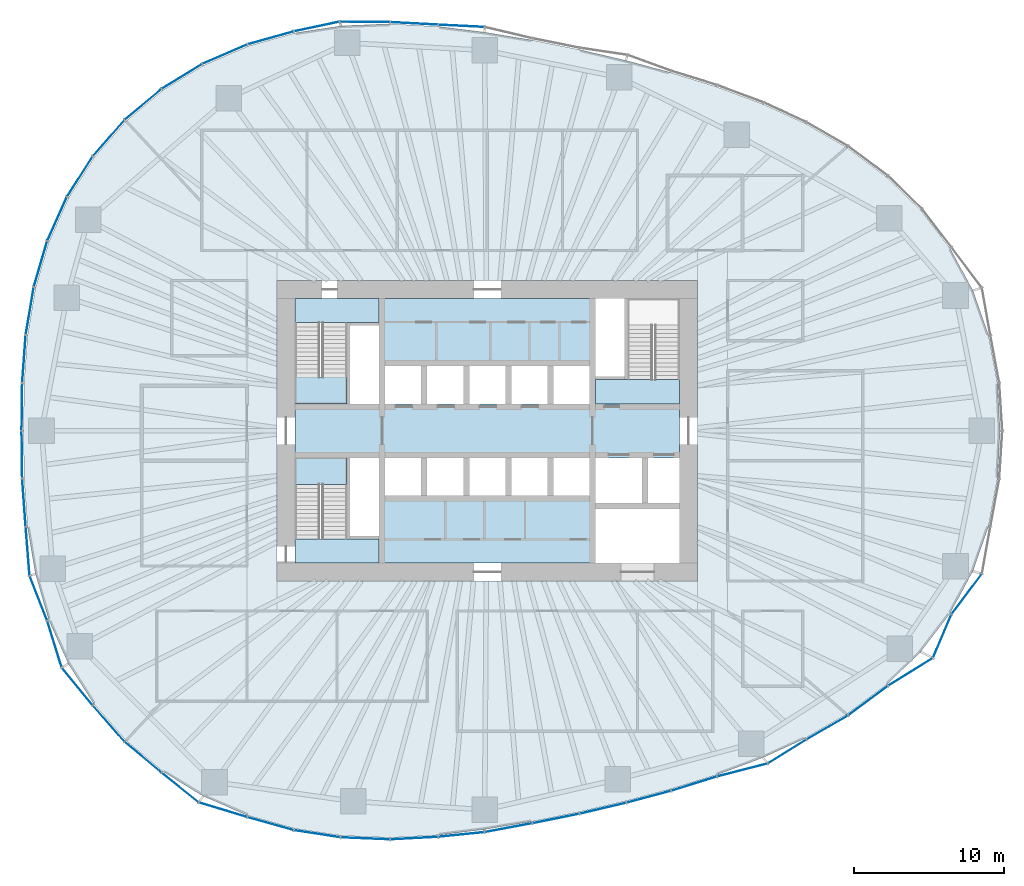
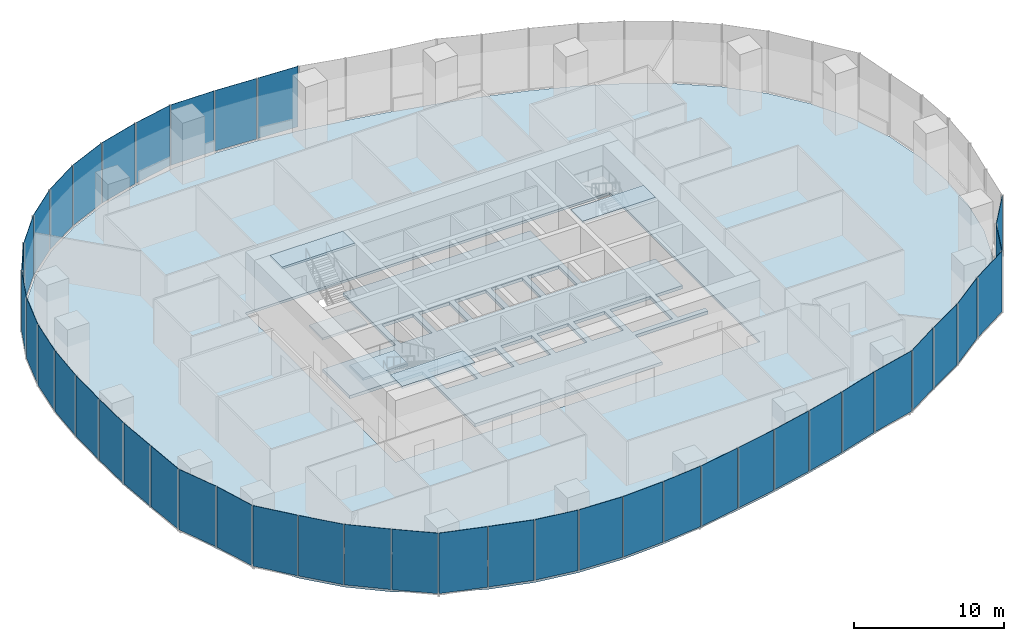
# One storey, part 8 of 20: 42 plates, 7 slabs, 17 elements without a shape of their own.
"""IFC4 building model written with IfcOpenShell, lengths in metres."""

import ifcopenshell
import ifcopenshell.guid

model = None  # the IFC model being written
_history = None  # IfcOwnerHistory: only IFC2X3 demands one
_inside = {}  # id of a spatial element -> (the spatial element, [elements in it])
_under = {}  # id of a project, library or spatial element -> (it, [spatial elements below it])
_declared = {}  # id of a project -> (the project, [libraries it declares])
_typed = {}  # id of a type object -> (the type object, [elements of that type])
_made_of = {}  # id of a material, layer set ... -> (it, [elements and type objects made of it])


def new_model(schema):
    """Start an empty IFC model of exactly this schema.

    Asked for "IFC4X3", IfcOpenShell would pick the latest addendum, in which some entities
    have other attributes; the version numbers below select the first issue.
    IFC2X3 requires an IfcOwnerHistory on every rooted entity: one is made here for all.
    """
    global model, _history
    if schema == "IFC4X3":
        model = ifcopenshell.file(schema_version=(4, 3, 0, 0))
    else:
        model = ifcopenshell.file(schema=schema)
    _inside.clear()
    _under.clear()
    _declared.clear()
    _typed.clear()
    _made_of.clear()
    _history = None
    if model.schema == "IFC2X3":
        org = make("IfcOrganization", Name="unknown")
        user = make(
            "IfcPersonAndOrganization",
            ThePerson=make("IfcPerson", FamilyName="unknown"),
            TheOrganization=org,
        )
        app = make(
            "IfcApplication",
            ApplicationDeveloper=org,
            Version="unknown",
            ApplicationFullName="unknown",
            ApplicationIdentifier="unknown",
        )
        _history = make(
            "IfcOwnerHistory",
            OwningUser=user,
            OwningApplication=app,
            ChangeAction="ADDED",
            CreationDate=0,
        )
    return model


def make(cls, **values):
    """One entity of the class cls with the attributes given. An attribute that is None is left unset."""
    return model.create_entity(
        cls, **{name: value for name, value in values.items() if value is not None}
    )


def rooted(cls, **values):
    """An entity with a GlobalId (a new one), such as an element, a storey or a relation."""
    return make(cls, GlobalId=ifcopenshell.guid.new(), OwnerHistory=_history, **values)


def si_unit(unit_type, name, prefix=None):
    """IfcSIUnit, for example si_unit("LENGTHUNIT", "METRE", prefix="MILLI")."""
    return make("IfcSIUnit", UnitType=unit_type, Prefix=prefix, Name=name)


def assignment(units):
    """IfcUnitAssignment: the units of a project."""
    return None if units is None else make("IfcUnitAssignment", Units=units)


def point(xyz):
    """IfcCartesianPoint."""
    return None if xyz is None else make("IfcCartesianPoint", Coordinates=xyz)


def direction(xyz):
    """IfcDirection."""
    return None if xyz is None else make("IfcDirection", DirectionRatios=xyz)


def frame(location, z_axis=None, x_axis=None):
    """IfcAxis2Placement3D, a coordinate frame: its origin and axes. An axis left out is left unset."""
    return make(
        "IfcAxis2Placement3D",
        Location=point(location),
        Axis=direction(z_axis),
        RefDirection=direction(x_axis),
    )


def frame_2d(location, x_axis=None):
    """IfcAxis2Placement2D, a coordinate frame in the plane: its origin and x axis."""
    return make(
        "IfcAxis2Placement2D", Location=point(location), RefDirection=direction(x_axis)
    )


def origin():
    """The frame at (0, 0, 0) with its axes left unset."""
    return frame((0.0, 0.0, 0.0))


def origin_2d():
    """The frame at (0, 0) in the plane with its x axis left unset."""
    return frame_2d((0.0, 0.0))


def place(relative_to, where):
    """IfcLocalPlacement: puts the frame where relative to a parent placement (None: the world)."""
    return make(
        "IfcLocalPlacement", PlacementRelTo=relative_to, RelativePlacement=where
    )


def context(
    kind, dimensions, precision=None, world=None, true_north=None, identifier=None
):
    """IfcGeometricRepresentationContext, for example the 3D "Model" context."""
    return make(
        "IfcGeometricRepresentationContext",
        ContextIdentifier=identifier,
        ContextType=kind,
        CoordinateSpaceDimension=dimensions,
        Precision=precision,
        WorldCoordinateSystem=world,
        TrueNorth=true_north,
    )


def subcontext(parent, identifier, kind, view, scale=None):
    """IfcGeometricRepresentationSubContext, for example "Body" below "Model"."""
    return make(
        "IfcGeometricRepresentationSubContext",
        ContextIdentifier=identifier,
        ContextType=kind,
        ParentContext=parent,
        TargetScale=scale,
        TargetView=view,
    )


def project(units=None, contexts=None):
    """IfcProject with its units and contexts."""
    return rooted(
        "IfcProject",
        Name="project",
        RepresentationContexts=contexts,
        UnitsInContext=assignment(units),
    )


def spatial(cls, under=None, at=None, **own):
    """A site, building, storey or space (cls), placed at a placement, below another one or the project."""
    s = rooted(cls, ObjectPlacement=at, **own)
    if under is not None:
        _under.setdefault(under.id(), (under, []))[1].append(s)
    return s


def polyline(points):
    """IfcPolyline through the points."""
    return make("IfcPolyline", Points=[point(p) for p in points])


def profile(cls, at=None, kind="AREA", **sizes):
    """A parametric profile (cls). Its sizes go by their IFC names, for example OverallWidth=200.0."""
    return make(cls, ProfileType=kind, Position=at, **sizes)


def rectangle(**sizes):
    """IfcRectangleProfileDef."""
    return profile("IfcRectangleProfileDef", **sizes)


def outline(outer, holes=None, kind="AREA"):
    """IfcArbitraryClosedProfileDef: a profile drawn as a closed curve; with holes, ...WithVoids."""
    if holes is None:
        return make("IfcArbitraryClosedProfileDef", ProfileType=kind, OuterCurve=outer)
    return make(
        "IfcArbitraryProfileDefWithVoids",
        ProfileType=kind,
        OuterCurve=outer,
        InnerCurves=holes,
    )


def extrude(swept, where, along, depth):
    """IfcExtrudedAreaSolid: the profile swept, set in the frame where, extruded along a direction by depth."""
    return make(
        "IfcExtrudedAreaSolid",
        SweptArea=swept,
        Position=where,
        ExtrudedDirection=direction(along),
        Depth=depth,
    )


def shape(context_of_items, identifier, shape_type, items):
    """IfcShapeRepresentation: the items that make up one representation, for example the "Body"."""
    return make(
        "IfcShapeRepresentation",
        ContextOfItems=context_of_items,
        RepresentationIdentifier=identifier,
        RepresentationType=shape_type,
        Items=items,
    )


def material(Name=None, Category=None):
    """IfcMaterial."""
    return make("IfcMaterial", Name=Name, Category=Category)


def layer(
    of_material, thickness, ventilated=None, Name=None, Category=None, Priority=None
):
    """IfcMaterialLayer: one layer of a wall or slab, of a material (None: an air gap)."""
    return make(
        "IfcMaterialLayer",
        Material=of_material,
        LayerThickness=thickness,
        IsVentilated=ventilated,
        Name=Name,
        Category=Category,
        Priority=Priority,
    )


def layer_set(layers, Name=None):
    """IfcMaterialLayerSet."""
    return make("IfcMaterialLayerSet", MaterialLayers=layers, LayerSetName=Name)


def made_of(thing, what):
    """Note that an element or type object is made of a material, layer set ...; save() writes the relation."""
    if what is not None:
        _made_of.setdefault(what.id(), (what, []))[1].append(thing)
    return thing


def type_object(cls, material=None, **own):
    """A type object (cls), such as IfcWallType, which elements share."""
    return made_of(rooted(cls, **own), material)


def element(
    cls,
    number,
    at=None,
    inside=None,
    cuts=None,
    type_object=None,
    material=None,
    context=None,
    identifier="Body",
    shape_type=None,
    held_by="IfcProductDefinitionShape",
    body=None,
    shapes=None,
    **own,
):
    """One element of the class cls, such as IfcWall. Its Tag is "e" and its number.

    at: its placement. inside: the storey or other place that contains it. cuts: it is an
    opening in that element (IfcRelVoidsElement). A single representation is given by context,
    identifier, shape_type and body (its items); several are given by shapes. held_by: the class
    of the entity that holds the representations. save() writes the other relations.
    """
    e = rooted(cls, Tag="e%d" % number, ObjectPlacement=at, **own)
    if body is not None:
        shapes = [shape(context, identifier, shape_type, body)]
    if shapes is not None:
        e.Representation = make(held_by, Representations=shapes)
    if inside is not None:
        _inside.setdefault(inside.id(), (inside, []))[1].append(e)
    if cuts is not None:
        rooted(
            "IfcRelVoidsElement", RelatingBuildingElement=cuts, RelatedOpeningElement=e
        )
    if type_object is not None:
        _typed.setdefault(type_object.id(), (type_object, []))[1].append(e)
    return made_of(e, material)


def aggregate(whole, parts):
    """IfcRelAggregates: a whole, such as a stair, and the parts it consists of."""
    return rooted("IfcRelAggregates", RelatingObject=whole, RelatedObjects=parts)


def save(model, path):
    """Write the relations noted so far, then the file.

    IfcRelAggregates (storeys below a building ...), IfcRelContainedInSpatialStructure (elements
    in a storey), IfcRelDefinesByType, IfcRelAssociatesMaterial and IfcRelDeclares: one each for
    every whole, place, type object, material and project.
    """
    for whole, parts in _under.values():
        aggregate(whole, parts)
    for where, things in _inside.values():
        rooted(
            "IfcRelContainedInSpatialStructure",
            RelatedElements=things,
            RelatingStructure=where,
        )
    for kind, things in _typed.values():
        rooted("IfcRelDefinesByType", RelatedObjects=things, RelatingType=kind)
    for what, things in _made_of.values():
        rooted("IfcRelAssociatesMaterial", RelatedObjects=things, RelatingMaterial=what)
    for by, libraries in _declared.values():
        rooted("IfcRelDeclares", RelatingContext=by, RelatedDefinitions=libraries)
    model.write(path)


model = new_model("IFC4")

# Units and contexts
model_context = context("Model", 3, precision=1e-05, world=origin(), true_north=direction((0.0, 1.0)))
body_context = subcontext(model_context, "Body", "Model", "MODEL_VIEW")
ifc_project = project(units=[si_unit("LENGTHUNIT", "METRE"), si_unit("AREAUNIT", "SQUARE_METRE"), si_unit("VOLUMEUNIT", "CUBIC_METRE"), si_unit("PLANEANGLEUNIT", "RADIAN"), si_unit("MASSUNIT", "GRAM", prefix="KILO")], contexts=[model_context])

# Site, building, storey
site_placement = place(None, origin())
site = spatial("IfcSite", under=ifc_project, at=site_placement, CompositionType="ELEMENT")
building_placement = place(site_placement, origin())
building = spatial("IfcBuilding", under=site, at=building_placement, Name="Ghaith Harvest Tower", CompositionType="ELEMENT")
storey_placement = place(building_placement, frame((0.0, 0.0, 90.0)))
storey = spatial("IfcBuildingStorey", under=building, at=storey_placement, Name="L18", CompositionType="ELEMENT", Elevation=90.0)

# Curtain wall, plates
ifc_material_1 = material(Name="Black anodised aluminium and fritted glass", Category="aluminium")
curtain_wall_type = type_object("IfcCurtainWallType", Name="CW-F CURTAIN WALL", PredefinedType="NOTDEFINED", material=ifc_material_1)
curtain_wall_1_placement = place(storey_placement, origin())
curtain_wall_1 = element("IfcCurtainWall", 1, at=curtain_wall_1_placement, inside=storey, type_object=curtain_wall_type, Name="Curtain wall CW-F bay 06 L18", PredefinedType="NOTDEFINED")
ifc_material_2 = material(Name="Glass, high-transmission fritted double glazed unit", Category="glass")
ifc_layer_1 = layer(ifc_material_2, 0.028076171875)
ifc_layer_set_1 = layer_set([ifc_layer_1], Name="CW-F VISION PANEL")
plate_type = type_object("IfcPlateType", Name="CW-F VISION PANEL", PredefinedType="CURTAIN_PANEL", material=ifc_layer_set_1)
plate_1_placement = place(storey_placement, frame((-1.722900390625, 26.953369140625, 0.080078125), z_axis=(0.0, 0.0, 1.0), x_axis=(-0.998771443485, 0.049554048048, 0.0)))
plate_1 = element("IfcPlate", 2, at=plate_1_placement, type_object=plate_type, Name="CW-F panel 1 bay 06 L18", PredefinedType="CURTAIN_PANEL", context=body_context, shape_type="SweptSolid", body=[
    extrude(rectangle(XDim=3.001708984375, YDim=0.028076171875, at=origin_2d()), origin(), (0.0, 0.0, 1.0), 4.919921875),
])
plate_2_placement = place(storey_placement, frame((-4.863525390625, 27.11572265625, 0.080078125), z_axis=(0.0, 0.0, 1.0), x_axis=(-0.99856250263, 0.053599704667, 0.0)))
plate_2 = element("IfcPlate", 3, at=plate_2_placement, type_object=plate_type, Name="CW-F panel 2 bay 06 L18", PredefinedType="CURTAIN_PANEL", context=body_context, shape_type="SweptSolid", body=[
    extrude(rectangle(XDim=3.1279296875, YDim=0.028076171875, at=origin_2d()), origin(), (0.0, 0.0, 1.0), 4.919921875),
])
plate_3_placement = place(storey_placement, frame((-8.150390625, 27.217041015625, 0.080078125), z_axis=(0.0, 0.0, 1.0), x_axis=(-0.999959609481, 0.008987736446, 0.0)))
plate_3 = element("IfcPlate", 4, at=plate_3_placement, type_object=plate_type, Name="CW-F panel 3 bay 06 L18", PredefinedType="CURTAIN_PANEL", context=body_context, shape_type="SweptSolid", body=[
    extrude(rectangle(XDim=3.29052734375, YDim=0.028076171875, at=origin_2d()), origin(), (0.0, 0.0, 1.0), 4.919921875),
])
aggregate(curtain_wall_1, [plate_1, plate_2, plate_3])

curtain_wall_2_placement = place(storey_placement, origin())
curtain_wall_2 = element("IfcCurtainWall", 5, at=curtain_wall_2_placement, inside=storey, type_object=curtain_wall_type, Name="Curtain wall CW-F bay 07 L18", PredefinedType="NOTDEFINED")
plate_4_placement = place(storey_placement, frame((-11.358154296875, 26.908447265625, 0.080078125), z_axis=(0.0, 0.0, 1.0), x_axis=(-0.978149320779, -0.207903598476, 0.0)))
plate_4 = element("IfcPlate", 6, at=plate_4_placement, type_object=plate_type, Name="CW-F panel 1 bay 07 L18", PredefinedType="CURTAIN_PANEL", context=body_context, shape_type="SweptSolid", body=[
    extrude(rectangle(XDim=3.032958984375, YDim=0.028076171875, at=origin_2d()), origin(), (0.0, 0.0, 1.0), 4.919921875),
])
plate_5_placement = place(storey_placement, frame((-14.42578125, 26.150634765625, 0.080078125), z_axis=(0.0, 0.0, 1.0), x_axis=(-0.96272968243, -0.270465448012, 0.0)))
plate_5 = element("IfcPlate", 7, at=plate_5_placement, type_object=plate_type, Name="CW-F panel 2 bay 07 L18", PredefinedType="CURTAIN_PANEL", context=body_context, shape_type="SweptSolid", body=[
    extrude(rectangle(XDim=3.13037109375, YDim=0.028076171875, at=origin_2d()), origin(), (0.0, 0.0, 1.0), 4.919921875),
])
plate_6_placement = place(storey_placement, frame((-17.46923828125, 25.0693359375, 0.080078125), z_axis=(0.0, 0.0, 1.0), x_axis=(-0.918002845228, -0.396573796605, 0.0)))
plate_6 = element("IfcPlate", 8, at=plate_6_placement, type_object=plate_type, Name="CW-F panel 3 bay 07 L18", PredefinedType="CURTAIN_PANEL", context=body_context, shape_type="SweptSolid", body=[
    extrude(rectangle(XDim=3.18359375, YDim=0.028076171875, at=origin_2d()), origin(), (0.0, 0.0, 1.0), 4.919921875),
])
aggregate(curtain_wall_2, [plate_4, plate_5, plate_6])

curtain_wall_3_placement = place(storey_placement, origin())
curtain_wall_3 = element("IfcCurtainWall", 9, at=curtain_wall_3_placement, inside=storey, type_object=curtain_wall_type, Name="Curtain wall CW-F bay 08 L18", PredefinedType="NOTDEFINED")
plate_7_placement = place(storey_placement, frame((-20.324462890625, 23.590087890625, 0.080078125), z_axis=(0.0, 0.0, 1.0), x_axis=(-0.852527741552, -0.522681977769, 0.0)))
plate_7 = element("IfcPlate", 10, at=plate_7_placement, type_object=plate_type, Name="CW-F panel 1 bay 08 L18", PredefinedType="CURTAIN_PANEL", context=body_context, shape_type="SweptSolid", body=[
    extrude(rectangle(XDim=3.10400390625, YDim=0.028076171875, at=origin_2d()), origin(), (0.0, 0.0, 1.0), 4.919921875),
])
plate_8_placement = place(storey_placement, frame((-22.91064453125, 21.727294921875, 0.080078125), z_axis=(0.0, 0.0, 1.0), x_axis=(-0.766155215147, -0.642655573619, 0.0)))
plate_8 = element("IfcPlate", 11, at=plate_8_placement, type_object=plate_type, Name="CW-F panel 2 bay 08 L18", PredefinedType="CURTAIN_PANEL", context=body_context, shape_type="SweptSolid", body=[
    extrude(rectangle(XDim=3.1279296875, YDim=0.028076171875, at=origin_2d()), origin(), (0.0, 0.0, 1.0), 4.919921875),
])
plate_9_placement = place(storey_placement, frame((-25.201171875, 19.4853515625, 0.080078125), z_axis=(0.0, 0.0, 1.0), x_axis=(-0.659215937547, -0.751953687194, 0.0)))
plate_9 = element("IfcPlate", 12, at=plate_9_placement, type_object=plate_type, Name="CW-F panel 3 bay 08 L18", PredefinedType="CURTAIN_PANEL", context=body_context, shape_type="SweptSolid", body=[
    extrude(rectangle(XDim=3.1416015625, YDim=0.028076171875, at=origin_2d()), origin(), (0.0, 0.0, 1.0), 4.919921875),
])
aggregate(curtain_wall_3, [plate_7, plate_8, plate_9])

curtain_wall_4_placement = place(storey_placement, origin())
curtain_wall_4 = element("IfcCurtainWall", 13, at=curtain_wall_4_placement, inside=storey, type_object=curtain_wall_type, Name="Curtain wall CW-F bay 09 L18", PredefinedType="NOTDEFINED")
plate_10_placement = place(storey_placement, frame((-27.124755859375, 16.919677734375, 0.080078125), z_axis=(0.0, 0.0, 1.0), x_axis=(-0.536779195227, -0.843722759899, 0.0)))
plate_10 = element("IfcPlate", 14, at=plate_10_placement, type_object=plate_type, Name="CW-F panel 1 bay 09 L18", PredefinedType="CURTAIN_PANEL", context=body_context, shape_type="SweptSolid", body=[
    extrude(rectangle(XDim=3.13037109375, YDim=0.028076171875, at=origin_2d()), origin(), (0.0, 0.0, 1.0), 4.919921875),
])
plate_11_placement = place(storey_placement, frame((-28.639404296875, 14.100341796875, 0.080078125), z_axis=(0.0, 0.0, 1.0), x_axis=(-0.407134417018, -0.913368253488, 0.0)))
plate_11 = element("IfcPlate", 15, at=plate_11_placement, type_object=plate_type, Name="CW-F panel 2 bay 09 L18", PredefinedType="CURTAIN_PANEL", context=body_context, shape_type="SweptSolid", body=[
    extrude(rectangle(XDim=3.1279296875, YDim=0.028076171875, at=origin_2d()), origin(), (0.0, 0.0, 1.0), 4.919921875),
])
plate_12_placement = place(storey_placement, frame((-29.740478515625, 11.101318359375, 0.080078125), z_axis=(0.0, 0.0, 1.0), x_axis=(-0.280296918708, -0.959913348882, 0.0)))
plate_12 = element("IfcPlate", 16, at=plate_12_placement, type_object=plate_type, Name="CW-F panel 3 bay 09 L18", PredefinedType="CURTAIN_PANEL", context=body_context, shape_type="SweptSolid", body=[
    extrude(rectangle(XDim=3.1162109375, YDim=0.028076171875, at=origin_2d()), origin(), (0.0, 0.0, 1.0), 4.919921875),
])
aggregate(curtain_wall_4, [plate_10, plate_11, plate_12])

curtain_wall_5_placement = place(storey_placement, origin())
curtain_wall_5 = element("IfcCurtainWall", 17, at=curtain_wall_5_placement, inside=storey, type_object=curtain_wall_type, Name="Curtain wall CW-F bay 10 L18", PredefinedType="NOTDEFINED")
plate_13_placement = place(storey_placement, frame((-30.456298828125, 7.971435546875, 0.080078125), z_axis=(0.0, 0.0, 1.0), x_axis=(-0.165581316368, -0.986196140567, 0.0)))
plate_13 = element("IfcPlate", 18, at=plate_13_placement, type_object=plate_type, Name="CW-F panel 1 bay 10 L18", PredefinedType="CURTAIN_PANEL", context=body_context, shape_type="SweptSolid", body=[
    extrude(rectangle(XDim=3.156494140625, YDim=0.028076171875, at=origin_2d()), origin(), (0.0, 0.0, 1.0), 4.919921875),
])
plate_14_placement = place(storey_placement, frame((-30.84033203125, 4.77685546875, 0.080078125), z_axis=(0.0, 0.0, 1.0), x_axis=(-0.072420546123, -0.997374184797, 0.0)))
plate_14 = element("IfcPlate", 19, at=plate_14_placement, type_object=plate_type, Name="CW-F panel 2 bay 10 L18", PredefinedType="CURTAIN_PANEL", context=body_context, shape_type="SweptSolid", body=[
    extrude(rectangle(XDim=3.1259765625, YDim=0.028076171875, at=origin_2d()), origin(), (0.0, 0.0, 1.0), 4.919921875),
])
plate_15_placement = place(storey_placement, frame((-30.975830078125, 1.589111328125, 0.080078125), z_axis=(0.0, 0.0, 1.0), x_axis=(-0.012133206476, -0.999926389941, 0.0)))
plate_15 = element("IfcPlate", 20, at=plate_15_placement, type_object=plate_type, Name="CW-F panel 3 bay 10 L18", PredefinedType="CURTAIN_PANEL", context=body_context, shape_type="SweptSolid", body=[
    extrude(rectangle(XDim=3.09814453125, YDim=0.028076171875, at=origin_2d()), origin(), (0.0, 0.0, 1.0), 4.919921875),
])
aggregate(curtain_wall_5, [plate_13, plate_14, plate_15])

curtain_wall_6_placement = place(storey_placement, origin())
curtain_wall_6 = element("IfcCurtainWall", 21, at=curtain_wall_6_placement, inside=storey, type_object=curtain_wall_type, Name="Curtain wall CW-F bay 11 L18", PredefinedType="NOTDEFINED")
plate_16_placement = place(storey_placement, frame((-30.975830078125, -1.589111328125, 0.080078125), z_axis=(0.0, 0.0, 1.0), x_axis=(0.012133206773, -0.999926389937, 0.0)))
plate_16 = element("IfcPlate", 22, at=plate_16_placement, type_object=plate_type, Name="CW-F panel 1 bay 11 L18", PredefinedType="CURTAIN_PANEL", context=body_context, shape_type="SweptSolid", body=[
    extrude(rectangle(XDim=3.09814453125, YDim=0.028076171875, at=origin_2d()), origin(), (0.0, 0.0, 1.0), 4.919921875),
])
plate_17_placement = place(storey_placement, frame((-30.84033203125, -4.77685546875, 0.080078125), z_axis=(0.0, 0.0, 1.0), x_axis=(0.072420546349, -0.99737418478, 0.0)))
plate_17 = element("IfcPlate", 23, at=plate_17_placement, type_object=plate_type, Name="CW-F panel 2 bay 11 L18", PredefinedType="CURTAIN_PANEL", context=body_context, shape_type="SweptSolid", body=[
    extrude(rectangle(XDim=3.1259765625, YDim=0.028076171875, at=origin_2d()), origin(), (0.0, 0.0, 1.0), 4.919921875),
])
plate_18_placement = place(storey_placement, frame((-30.594482421875, -8.01513671875, 0.080078125), z_axis=(0.0, 0.0, 1.0), x_axis=(0.078867084181, -0.996885140341, 0.0)))
plate_18 = element("IfcPlate", 24, at=plate_18_placement, type_object=plate_type, Name="CW-F panel 3 bay 11 L18", PredefinedType="CURTAIN_PANEL", context=body_context, shape_type="SweptSolid", body=[
    extrude(rectangle(XDim=3.209716796875, YDim=0.028076171875, at=origin_2d()), origin(), (0.0, 0.0, 1.0), 4.919921875),
])
aggregate(curtain_wall_6, [plate_16, plate_17, plate_18])

curtain_wall_7_placement = place(storey_placement, origin())
curtain_wall_7 = element("IfcCurtainWall", 25, at=curtain_wall_7_placement, inside=storey, type_object=curtain_wall_type, Name="Curtain wall CW-F bay 12 L18", PredefinedType="NOTDEFINED")
plate_19_placement = place(storey_placement, frame((-29.878662109375, -11.14501953125, 0.080078125), z_axis=(0.0, 0.0, 1.0), x_axis=(0.366039738151, -0.930599220983, 0.0)))
plate_19 = element("IfcPlate", 26, at=plate_19_placement, type_object=plate_type, Name="CW-F panel 1 bay 12 L18", PredefinedType="CURTAIN_PANEL", context=body_context, shape_type="SweptSolid", body=[
    extrude(rectangle(XDim=3.122802734375, YDim=0.028076171875, at=origin_2d()), origin(), (0.0, 0.0, 1.0), 4.919921875),
])
plate_20_placement = place(storey_placement, frame((-28.809814453125, -14.195068359375, 0.080078125), z_axis=(0.0, 0.0, 1.0), x_axis=(0.295583054454, -0.95531704576, 0.0)))
plate_20 = element("IfcPlate", 27, at=plate_20_placement, type_object=plate_type, Name="CW-F panel 2 bay 12 L18", PredefinedType="CURTAIN_PANEL", context=body_context, shape_type="SweptSolid", body=[
    extrude(rectangle(XDim=3.185546875, YDim=0.028076171875, at=origin_2d()), origin(), (0.0, 0.0, 1.0), 4.919921875),
])
plate_21_placement = place(storey_placement, frame((-27.295166015625, -17.014404296875, 0.080078125), z_axis=(0.0, 0.0, 1.0), x_axis=(0.633789860881, -0.773505276158, 0.0)))
plate_21 = element("IfcPlate", 28, at=plate_21_placement, type_object=plate_type, Name="CW-F panel 3 bay 12 L18", PredefinedType="CURTAIN_PANEL", context=body_context, shape_type="SweptSolid", body=[
    extrude(rectangle(XDim=3.1767578125, YDim=0.028076171875, at=origin_2d()), origin(), (0.0, 0.0, 1.0), 4.919921875),
])
aggregate(curtain_wall_7, [plate_19, plate_20, plate_21])

curtain_wall_8_placement = place(storey_placement, origin())
curtain_wall_8 = element("IfcCurtainWall", 29, at=curtain_wall_8_placement, inside=storey, type_object=curtain_wall_type, Name="Curtain wall CW-F bay 13 L18", PredefinedType="NOTDEFINED")
plate_22_placement = place(storey_placement, frame((-25.201171875, -19.4853515625, 0.080078125), z_axis=(0.0, 0.0, 1.0), x_axis=(0.659215937337, -0.751953687378, 0.0)))
plate_22 = element("IfcPlate", 30, at=plate_22_placement, type_object=plate_type, Name="CW-F panel 1 bay 13 L18", PredefinedType="CURTAIN_PANEL", context=body_context, shape_type="SweptSolid", body=[
    extrude(rectangle(XDim=3.1416015625, YDim=0.028076171875, at=origin_2d()), origin(), (0.0, 0.0, 1.0), 4.919921875),
])
plate_23_placement = place(storey_placement, frame((-22.91064453125, -21.727294921875, 0.080078125), z_axis=(0.0, 0.0, 1.0), x_axis=(0.76615521545, -0.642655573258, 0.0)))
plate_23 = element("IfcPlate", 31, at=plate_23_placement, type_object=plate_type, Name="CW-F panel 2 bay 13 L18", PredefinedType="CURTAIN_PANEL", context=body_context, shape_type="SweptSolid", body=[
    extrude(rectangle(XDim=3.1279296875, YDim=0.028076171875, at=origin_2d()), origin(), (0.0, 0.0, 1.0), 4.919921875),
])
plate_24_placement = place(storey_placement, frame((-20.447265625, -23.748046875, 0.080078125), z_axis=(0.0, 0.0, 1.0), x_axis=(0.780122054158, -0.625627349639, 0.0)))
plate_24 = element("IfcPlate", 32, at=plate_24_placement, type_object=plate_type, Name="CW-F panel 3 bay 13 L18", PredefinedType="CURTAIN_PANEL", context=body_context, shape_type="SweptSolid", body=[
    extrude(rectangle(XDim=3.085205078125, YDim=0.028076171875, at=origin_2d()), origin(), (0.0, 0.0, 1.0), 4.919921875),
])
aggregate(curtain_wall_8, [plate_22, plate_23, plate_24])

curtain_wall_9_placement = place(storey_placement, origin())
curtain_wall_9 = element("IfcCurtainWall", 33, at=curtain_wall_9_placement, inside=storey, type_object=curtain_wall_type, Name="Curtain wall CW-F bay 14 L18", PredefinedType="NOTDEFINED")
plate_25_placement = place(storey_placement, frame((-17.591796875, -25.227294921875, 0.080078125), z_axis=(0.0, 0.0, 1.0), x_axis=(0.95734234218, -0.288956121011, 0.0)))
plate_25 = element("IfcPlate", 34, at=plate_25_placement, type_object=plate_type, Name="CW-F panel 1 bay 14 L18", PredefinedType="CURTAIN_PANEL", context=body_context, shape_type="SweptSolid", body=[
    extrude(rectangle(XDim=3.3056640625, YDim=0.028076171875, at=origin_2d()), origin(), (0.0, 0.0, 1.0), 4.919921875),
])
plate_26_placement = place(storey_placement, frame((-14.42578125, -26.150634765625, 0.080078125), z_axis=(0.0, 0.0, 1.0), x_axis=(0.962729682704, -0.270465447038, 0.0)))
plate_26 = element("IfcPlate", 35, at=plate_26_placement, type_object=plate_type, Name="CW-F panel 2 bay 14 L18", PredefinedType="CURTAIN_PANEL", context=body_context, shape_type="SweptSolid", body=[
    extrude(rectangle(XDim=3.13037109375, YDim=0.028076171875, at=origin_2d()), origin(), (0.0, 0.0, 1.0), 4.919921875),
])
plate_27_placement = place(storey_placement, frame((-11.327392578125, -26.82373046875, 0.080078125), z_axis=(0.0, 0.0, 1.0), x_axis=(0.98836987371, -0.152069039392, 0.0)))
plate_27 = element("IfcPlate", 36, at=plate_27_placement, type_object=plate_type, Name="CW-F panel 3 bay 14 L18", PredefinedType="CURTAIN_PANEL", context=body_context, shape_type="SweptSolid", body=[
    extrude(rectangle(XDim=3.0625, YDim=0.028076171875, at=origin_2d()), origin(), (0.0, 0.0, 1.0), 4.919921875),
])
aggregate(curtain_wall_9, [plate_25, plate_26, plate_27])

curtain_wall_10_placement = place(storey_placement, origin())
curtain_wall_10 = element("IfcCurtainWall", 37, at=curtain_wall_10_placement, inside=storey, type_object=curtain_wall_type, Name="Curtain wall CW-F bay 15 L18", PredefinedType="NOTDEFINED")
plate_28_placement = place(storey_placement, frame((-8.119873046875, -27.13232421875, 0.080078125), z_axis=(0.0, 0.0, 1.0), x_axis=(0.999118988518, -0.041967210794, 0.0)))
plate_28 = element("IfcPlate", 38, at=plate_28_placement, type_object=plate_type, Name="CW-F panel 1 bay 15 L18", PredefinedType="CURTAIN_PANEL", context=body_context, shape_type="SweptSolid", body=[
    extrude(rectangle(XDim=3.232177734375, YDim=0.028076171875, at=origin_2d()), origin(), (0.0, 0.0, 1.0), 4.919921875),
])
plate_29_placement = place(storey_placement, frame((-4.863525390625, -27.11572265625, 0.080078125), z_axis=(0.0, 0.0, 1.0), x_axis=(0.998562502616, 0.053599704928, 0.0)))
plate_29 = element("IfcPlate", 39, at=plate_29_placement, type_object=plate_type, Name="CW-F panel 2 bay 15 L18", PredefinedType="CURTAIN_PANEL", context=body_context, shape_type="SweptSolid", body=[
    extrude(rectangle(XDim=3.1279296875, YDim=0.028076171875, at=origin_2d()), origin(), (0.0, 0.0, 1.0), 4.919921875),
])
plate_30_placement = place(storey_placement, frame((-1.722412109375, -26.87353515625, 0.080078125), z_axis=(0.0, 0.0, 1.0), x_axis=(0.99488222177, 0.101041401443, 0.0)))
plate_30 = element("IfcPlate", 40, at=plate_30_placement, type_object=plate_type, Name="CW-F panel 3 bay 15 L18", PredefinedType="CURTAIN_PANEL", context=body_context, shape_type="SweptSolid", body=[
    extrude(rectangle(XDim=3.014892578125, YDim=0.028076171875, at=origin_2d()), origin(), (0.0, 0.0, 1.0), 4.919921875),
])
aggregate(curtain_wall_10, [plate_28, plate_29, plate_30])

curtain_wall_11_placement = place(storey_placement, origin())
curtain_wall_11 = element("IfcCurtainWall", 41, at=curtain_wall_11_placement, inside=storey, type_object=curtain_wall_type, Name="Curtain wall CW-F bay 16 L18", PredefinedType="NOTDEFINED")
plate_31_placement = place(storey_placement, frame((1.4130859375, -26.420166015625, 0.080078125), z_axis=(0.0, 0.0, 1.0), x_axis=(0.983131230266, 0.182901569365, 0.0)))
plate_31 = element("IfcPlate", 42, at=plate_31_placement, type_object=plate_type, Name="CW-F panel 1 bay 16 L18", PredefinedType="CURTAIN_PANEL", context=body_context, shape_type="SweptSolid", body=[
    extrude(rectangle(XDim=3.166748046875, YDim=0.028076171875, at=origin_2d()), origin(), (0.0, 0.0, 1.0), 4.919921875),
])
plate_32_placement = place(storey_placement, frame((4.5732421875, -25.809326171875, 0.080078125), z_axis=(0.0, 0.0, 1.0), x_axis=(0.98043234808, 0.196856320293, 0.0)))
plate_32 = element("IfcPlate", 43, at=plate_32_placement, type_object=plate_type, Name="CW-F panel 2 bay 16 L18", PredefinedType="CURTAIN_PANEL", context=body_context, shape_type="SweptSolid", body=[
    extrude(rectangle(XDim=3.1103515625, YDim=0.028076171875, at=origin_2d()), origin(), (0.0, 0.0, 1.0), 4.919921875),
])
plate_33_placement = place(storey_placement, frame((7.697265625, -25.129150390625, 0.080078125), z_axis=(0.0, 0.0, 1.0), x_axis=(0.973564757908, 0.228411169079, 0.0)))
plate_33 = element("IfcPlate", 44, at=plate_33_placement, type_object=plate_type, Name="CW-F panel 3 bay 16 L18", PredefinedType="CURTAIN_PANEL", context=body_context, shape_type="SweptSolid", body=[
    extrude(rectangle(XDim=3.125, YDim=0.028076171875, at=origin_2d()), origin(), (0.0, 0.0, 1.0), 4.919921875),
])
aggregate(curtain_wall_11, [plate_31, plate_32, plate_33])

curtain_wall_12_placement = place(storey_placement, origin())
curtain_wall_12 = element("IfcCurtainWall", 45, at=curtain_wall_12_placement, inside=storey, type_object=curtain_wall_type, Name="Curtain wall CW-F bay 17 L18", PredefinedType="NOTDEFINED")
plate_34_placement = place(storey_placement, frame((10.745849609375, -24.36376953125, 0.080078125), z_axis=(0.0, 0.0, 1.0), x_axis=(0.965848435029, 0.259107700681, 0.0)))
plate_34 = element("IfcPlate", 46, at=plate_34_placement, type_object=plate_type, Name="CW-F panel 1 bay 17 L18", PredefinedType="CURTAIN_PANEL", context=body_context, shape_type="SweptSolid", body=[
    extrude(rectangle(XDim=3.002197265625, YDim=0.028076171875, at=origin_2d()), origin(), (0.0, 0.0, 1.0), 4.919921875),
])
plate_35_placement = place(storey_placement, frame((13.760986328125, -23.490234375, 0.080078125), z_axis=(0.0, 0.0, 1.0), x_axis=(0.954988265447, 0.296643578827, 0.0)))
plate_35 = element("IfcPlate", 47, at=plate_35_placement, type_object=plate_type, Name="CW-F panel 2 bay 17 L18", PredefinedType="CURTAIN_PANEL", context=body_context, shape_type="SweptSolid", body=[
    extrude(rectangle(XDim=3.1171875, YDim=0.028076171875, at=origin_2d()), origin(), (0.0, 0.0, 1.0), 4.919921875),
])
plate_36_placement = place(storey_placement, frame((16.980712890625, -22.580322265625, 0.080078125), z_axis=(0.0, 0.0, 1.0), x_axis=(0.968451429434, 0.249202385275, 0.0)))
plate_36 = element("IfcPlate", 48, at=plate_36_placement, type_object=plate_type, Name="CW-F panel 3 bay 17 L18", PredefinedType="CURTAIN_PANEL", context=body_context, shape_type="SweptSolid", body=[
    extrude(rectangle(XDim=3.416748046875, YDim=0.028076171875, at=origin_2d()), origin(), (0.0, 0.0, 1.0), 4.919921875),
])
aggregate(curtain_wall_12, [plate_34, plate_35, plate_36])

curtain_wall_13_placement = place(storey_placement, origin())
curtain_wall_13 = element("IfcCurtainWall", 49, at=curtain_wall_13_placement, inside=storey, type_object=curtain_wall_type, Name="Curtain wall CW-F bay 18 L18", PredefinedType="NOTDEFINED")
plate_37_placement = place(storey_placement, frame((19.954833984375, -21.348876953125, 0.080078125), z_axis=(0.0, 0.0, 1.0), x_axis=(0.849360700005, 0.527812846837, 0.0)))
plate_37 = element("IfcPlate", 50, at=plate_37_placement, type_object=plate_type, Name="CW-F panel 1 bay 18 L18", PredefinedType="CURTAIN_PANEL", context=body_context, shape_type="SweptSolid", body=[
    extrude(rectangle(XDim=2.935791015625, YDim=0.028076171875, at=origin_2d()), origin(), (0.0, 0.0, 1.0), 4.919921875),
])
plate_38_placement = place(storey_placement, frame((22.626953125, -19.750244140625, 0.080078125), z_axis=(0.0, 0.0, 1.0), x_axis=(0.866159208454, 0.499768171866, 0.0)))
plate_38 = element("IfcPlate", 51, at=plate_38_placement, type_object=plate_type, Name="CW-F panel 2 bay 18 L18", PredefinedType="CURTAIN_PANEL", context=body_context, shape_type="SweptSolid", body=[
    extrude(rectangle(XDim=3.1328125, YDim=0.028076171875, at=origin_2d()), origin(), (0.0, 0.0, 1.0), 4.919921875),
])
plate_39_placement = place(storey_placement, frame((25.34619140625, -17.96142578125, 0.080078125), z_axis=(0.0, 0.0, 1.0), x_axis=(0.802866788713, 0.596158468515, 0.0)))
plate_39 = element("IfcPlate", 52, at=plate_39_placement, type_object=plate_type, Name="CW-F panel 3 bay 18 L18", PredefinedType="CURTAIN_PANEL", context=body_context, shape_type="SweptSolid", body=[
    extrude(rectangle(XDim=3.2275390625, YDim=0.028076171875, at=origin_2d()), origin(), (0.0, 0.0, 1.0), 4.919921875),
])
aggregate(curtain_wall_13, [plate_37, plate_38, plate_39])

curtain_wall_14_placement = place(storey_placement, origin())
curtain_wall_14 = element("IfcCurtainWall", 53, at=curtain_wall_14_placement, inside=storey, type_object=curtain_wall_type, Name="Curtain wall CW-F bay 19 L18", PredefinedType="NOTDEFINED")
plate_40_placement = place(storey_placement, frame((28.166748046875, -16.05126953125, 0.080078125), z_axis=(0.0, 0.0, 1.0), x_axis=(0.850245604669, 0.526386181184, 0.0)))
plate_40 = element("IfcPlate", 54, at=plate_40_placement, type_object=plate_type, Name="CW-F panel 1 bay 19 L18", PredefinedType="CURTAIN_PANEL", context=body_context, shape_type="SweptSolid", body=[
    extrude(rectangle(XDim=3.431884765625, YDim=0.028076171875, at=origin_2d()), origin(), (0.0, 0.0, 1.0), 4.919921875),
])
plate_41_placement = place(storey_placement, frame((30.2783203125, -13.6708984375, 0.080078125), z_axis=(0.0, 0.0, 1.0), x_axis=(0.390980294296, 0.920399049039, 0.0)))
plate_41 = element("IfcPlate", 55, at=plate_41_placement, type_object=plate_type, Name="CW-F panel 2 bay 19 L18", PredefinedType="CURTAIN_PANEL", context=body_context, shape_type="SweptSolid", body=[
    extrude(rectangle(XDim=3.083740234375, YDim=0.028076171875, at=origin_2d()), origin(), (0.0, 0.0, 1.0), 4.919921875),
])
plate_42_placement = place(storey_placement, frame((31.91015625, -10.865234375, 0.080078125), z_axis=(0.0, 0.0, 1.0), x_axis=(0.600454091429, 0.799659229976, 0.0)))
plate_42 = element("IfcPlate", 56, at=plate_42_placement, type_object=plate_type, Name="CW-F panel 3 bay 19 L18", PredefinedType="CURTAIN_PANEL", context=body_context, shape_type="SweptSolid", body=[
    extrude(rectangle(XDim=3.295654296875, YDim=0.028076171875, at=origin_2d()), origin(), (0.0, 0.0, 1.0), 4.919921875),
])
aggregate(curtain_wall_14, [plate_40, plate_41, plate_42])

# Slabs
ifc_material_3 = material(Name="Concrete C40/50", Category="concrete")
ifc_layer_2 = layer(ifc_material_3, 0.199951171875)
ifc_layer_set_2 = layer_set([ifc_layer_2], Name="FLOOR SLAB 200")
slab_type_1 = type_object("IfcSlabType", Name="FLOOR SLAB 200", PredefinedType="FLOOR", material=ifc_layer_set_2)
slab_1_placement = place(storey_placement, frame((0.0, 0.0, -0.199951171875)))
element("IfcSlab", 57, at=slab_1_placement, inside=storey, type_object=slab_type_1, Name="Floor slab L18", PredefinedType="FLOOR", context=body_context, shape_type="SweptSolid", body=[
    extrude(outline(polyline([(34.125, 0.0), (33.95849609375, 3.194091796875), (33.37158203125, 6.333984375), (32.318359375, 9.3408203125), (30.78515625, 12.1708984375), (28.840087890625, 14.708984375), (26.572509765625, 16.9111328125), (23.92431640625, 18.873046875), (21.149169921875, 20.469482421875), (18.34521484375, 21.7548828125), (15.22119140625, 22.916259765625), (12.1796875, 23.857666015625), (9.21533203125, 24.65087890625), (6.10888671875, 25.378662109375), (2.99560546875, 26.004150390625), (-0.181396484375, 26.527099609375), (-3.24755859375, 26.91064453125), (-6.4375, 27.0849609375), (-9.733642578125, 26.949951171875), (-12.828125, 26.476806640625), (-15.907958984375, 25.614501953125), (-18.8935546875, 24.32763671875), (-21.59912109375, 22.671142578125), (-24.04833984375, 20.618408203125), (-26.16455078125, 18.20556640625), (-27.881591796875, 15.507080078125), (-29.182373046875, 12.587890625), (-30.073974609375, 9.531005859375), (-30.606689453125, 6.35107421875), (-30.837158203125, 3.165771484375), (-30.875, 0.0), (-30.837158203125, -3.165771484375), (-30.606689453125, -6.35107421875), (-30.073974609375, -9.531005859375), (-29.182373046875, -12.587890625), (-27.881591796875, -15.507080078125), (-26.16455078125, -18.20556640625), (-24.04833984375, -20.618408203125), (-21.59912109375, -22.671142578125), (-18.8935546875, -24.32763671875), (-15.907958984375, -25.614501953125), (-12.828125, -26.476806640625), (-9.733642578125, -26.949951171875), (-6.4375, -27.0849609375), (-3.24755859375, -26.91064453125), (-0.181396484375, -26.527099609375), (2.99560546875, -26.004150390625), (6.10888671875, -25.378662109375), (9.21533203125, -24.65087890625), (12.1796875, -23.857666015625), (15.22119140625, -22.916259765625), (18.34521484375, -21.7548828125), (21.149169921875, -20.469482421875), (23.92431640625, -18.873046875), (26.572509765625, -16.9111328125), (28.840087890625, -14.708984375), (30.78515625, -12.1708984375), (32.318359375, -9.3408203125), (33.37158203125, -6.333984375), (33.95849609375, -3.194091796875), (34.125, 0.0)]), holes=[polyline([(-14.0, -10.0), (14.0, -10.0), (14.0, 10.0), (-14.0, 10.0), (-14.0, -10.0)])]), origin(), (0.0, 0.0, 1.0), 0.199951171875),
])
ifc_material_4 = material(Name="Concrete C40/50", Category="concrete")
ifc_layer_3 = layer(ifc_material_4, 0.25)
ifc_layer_set_3 = layer_set([ifc_layer_3], Name="FLOOR SLAB 250")
slab_type_2 = type_object("IfcSlabType", Name="FLOOR SLAB 250", PredefinedType="FLOOR", material=ifc_layer_set_3)
slab_2_placement = place(storey_placement, frame((0.0, 0.0, -0.25)))
element("IfcSlab", 58, at=slab_2_placement, inside=storey, type_object=slab_type_2, Name="Core slab L18", PredefinedType="FLOOR", context=body_context, shape_type="SweptSolid", body=[
    extrude(outline(polyline([(-12.800048828125, 1.800048828125), (-7.199951171875, 1.800048828125), (-7.199951171875, 8.800048828125), (7.199951171875, 8.800048828125), (7.199951171875, 1.800048828125), (12.800048828125, 1.800048828125), (12.800048828125, -1.800048828125), (10.699951171875, -1.800048828125), (10.699951171875, -4.800048828125), (12.800048828125, -4.800048828125), (12.800048828125, -5.199951171875), (7.199951171875, -5.199951171875), (7.199951171875, -8.800048828125), (-7.199951171875, -8.800048828125), (-7.199951171875, -1.800048828125), (-12.800048828125, -1.800048828125), (-12.800048828125, 1.800048828125)]), holes=[polyline([(-4.39990234375, -4.300048828125), (-4.39990234375, -1.800048828125), (-6.800048828125, -1.800048828125), (-6.800048828125, -4.300048828125), (-4.39990234375, -4.300048828125)]), polyline([(-1.60009765625, -4.300048828125), (-1.60009765625, -1.800048828125), (-4.0, -1.800048828125), (-4.0, -4.300048828125), (-1.60009765625, -4.300048828125)]), polyline([(1.199951171875, -4.300048828125), (1.199951171875, -1.800048828125), (-1.199951171875, -1.800048828125), (-1.199951171875, -4.300048828125), (1.199951171875, -4.300048828125)]), polyline([(-4.39990234375, 1.800048828125), (-4.39990234375, 4.300048828125), (-6.800048828125, 4.300048828125), (-6.800048828125, 1.800048828125), (-4.39990234375, 1.800048828125)]), polyline([(-1.60009765625, 1.800048828125), (-1.60009765625, 4.300048828125), (-4.0, 4.300048828125), (-4.0, 1.800048828125), (-1.60009765625, 1.800048828125)]), polyline([(1.199951171875, 1.800048828125), (1.199951171875, 4.300048828125), (-1.199951171875, 4.300048828125), (-1.199951171875, 1.800048828125), (1.199951171875, 1.800048828125)]), polyline([(10.300048828125, -4.800048828125), (10.300048828125, -1.800048828125), (7.199951171875, -1.800048828125), (7.199951171875, -4.800048828125), (10.300048828125, -4.800048828125)]), polyline([(4.0, -4.300048828125), (4.0, -1.800048828125), (1.60009765625, -1.800048828125), (1.60009765625, -4.300048828125), (4.0, -4.300048828125)]), polyline([(6.800048828125, -4.300048828125), (6.800048828125, -1.800048828125), (4.39990234375, -1.800048828125), (4.39990234375, -4.300048828125), (6.800048828125, -4.300048828125)]), polyline([(4.0, 1.800048828125), (4.0, 4.300048828125), (1.60009765625, 4.300048828125), (1.60009765625, 1.800048828125), (4.0, 1.800048828125)]), polyline([(6.800048828125, 1.800048828125), (6.800048828125, 4.300048828125), (4.39990234375, 4.300048828125), (4.39990234375, 1.800048828125), (6.800048828125, 1.800048828125)])]), origin(), (0.0, 0.0, 1.0), 0.25),
])

# Stair, slabs
ifc_material_5 = material(Name="Concrete C40/50, precast", Category="concrete")
stair_type = type_object("IfcStairType", Name="CORE STAIR 28R", PredefinedType="HALF_TURN_STAIR", material=ifc_material_5)
stair_1_placement = place(storey_placement, origin())
stair_1 = element("IfcStair", 59, at=stair_1_placement, inside=storey, type_object=stair_type, Name="Stair ST1 L18", PredefinedType="HALF_TURN_STAIR")
ifc_material_6 = material(Name="Concrete C40/50, precast", Category="concrete")
ifc_layer_4 = layer(ifc_material_6, 0.179931640625)
ifc_layer_set_4 = layer_set([ifc_layer_4], Name="STAIR LANDING 180")
slab_type_3 = type_object("IfcSlabType", Name="STAIR LANDING 180", PredefinedType="LANDING", material=ifc_layer_set_4)
slab_3_placement = place(storey_placement, frame((0.0, 0.0, 2.320068359375)))
slab_3 = element("IfcSlab", 60, at=slab_3_placement, type_object=slab_type_3, Name="ST1 landing 1", PredefinedType="LANDING", context=body_context, shape_type="SweptSolid", body=[
    extrude(outline(polyline([(-12.800048828125, 3.580078125), (-12.800048828125, 1.800048828125), (-9.35009765625, 1.800048828125), (-9.35009765625, 3.580078125), (-12.800048828125, 3.580078125)])), origin(), (0.0, 0.0, 1.0), 0.179931640625),
])
slab_4_placement = place(storey_placement, frame((0.0, 0.0, 4.820068359375)))
slab_4 = element("IfcSlab", 61, at=slab_4_placement, type_object=slab_type_3, Name="ST1 landing 2", PredefinedType="LANDING", context=body_context, shape_type="SweptSolid", body=[
    extrude(outline(polyline([(-12.800048828125, 8.800048828125), (-12.800048828125, 7.199951171875), (-7.199951171875, 7.199951171875), (-7.199951171875, 8.800048828125), (-12.800048828125, 8.800048828125)])), origin(), (0.0, 0.0, 1.0), 0.179931640625),
])
aggregate(stair_1, [slab_3, slab_4])

stair_2_placement = place(storey_placement, origin())
stair_2 = element("IfcStair", 62, at=stair_2_placement, inside=storey, type_object=stair_type, Name="Stair ST3 L18", PredefinedType="HALF_TURN_STAIR")
slab_5_placement = place(storey_placement, frame((0.0, 0.0, 2.320068359375)))
slab_5 = element("IfcSlab", 63, at=slab_5_placement, type_object=slab_type_3, Name="ST3 landing 1", PredefinedType="LANDING", context=body_context, shape_type="SweptSolid", body=[
    extrude(outline(polyline([(-12.800048828125, -3.580078125), (-12.800048828125, -1.800048828125), (-9.35009765625, -1.800048828125), (-9.35009765625, -3.580078125), (-12.800048828125, -3.580078125)])), origin(), (0.0, 0.0, 1.0), 0.179931640625),
])
slab_6_placement = place(storey_placement, frame((0.0, 0.0, 4.820068359375)))
slab_6 = element("IfcSlab", 64, at=slab_6_placement, type_object=slab_type_3, Name="ST3 landing 2", PredefinedType="LANDING", context=body_context, shape_type="SweptSolid", body=[
    extrude(outline(polyline([(-12.800048828125, -8.800048828125), (-12.800048828125, -7.199951171875), (-7.199951171875, -7.199951171875), (-7.199951171875, -8.800048828125), (-12.800048828125, -8.800048828125)])), origin(), (0.0, 0.0, 1.0), 0.179931640625),
])
aggregate(stair_2, [slab_5, slab_6])

# Stair, slab
stair_3_placement = place(storey_placement, origin())
stair_3 = element("IfcStair", 65, at=stair_3_placement, inside=storey, type_object=stair_type, Name="Stair ST2 L18", PredefinedType="HALF_TURN_STAIR")
slab_7_placement = place(storey_placement, frame((0.0, 0.0, 4.820068359375)))
slab_7 = element("IfcSlab", 66, at=slab_7_placement, type_object=slab_type_3, Name="ST2 landing 2", PredefinedType="LANDING", context=body_context, shape_type="SweptSolid", body=[
    extrude(outline(polyline([(12.800048828125, 1.800048828125), (12.800048828125, 3.39990234375), (7.199951171875, 3.39990234375), (7.199951171875, 1.800048828125), (12.800048828125, 1.800048828125)])), origin(), (0.0, 0.0, 1.0), 0.179931640625),
])
aggregate(stair_3, [slab_7])

save(model, "model.ifc")
